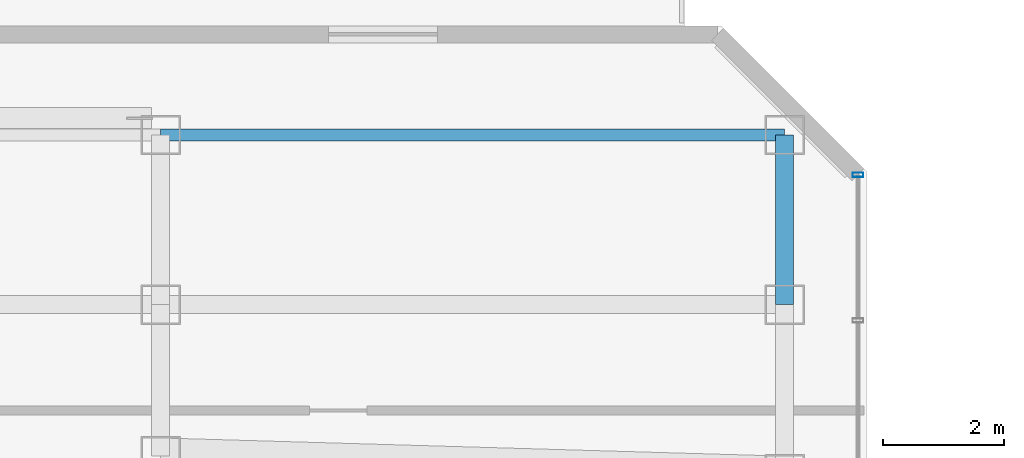
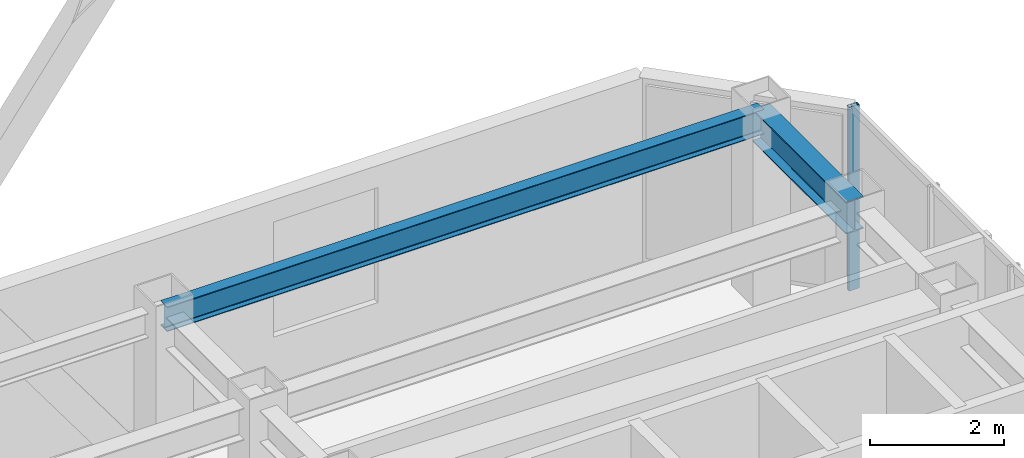
# One storey, part 15 of 22: 2 beams, 1 member, 1 element without a shape of its own.
"""IFC4 building model written with IfcOpenShell, lengths in metres."""

from ifc_helpers import new_model, si_unit, direction, frame, origin, origin_2d, place, context, subcontext, project, spatial, hollow_rectangle, i_section, extrude, material, layer, layer_set, material_profile, profile_set, type_object, element, aggregate, save


model = new_model("IFC4")

# Units and contexts
model_context = context("Model", 3, precision=1e-05, world=origin(), true_north=direction((0.0, 1.0)))
body_context = subcontext(model_context, "Body", "Model", "MODEL_VIEW")
ifc_project = project(units=[si_unit("LENGTHUNIT", "METRE"), si_unit("AREAUNIT", "SQUARE_METRE"), si_unit("VOLUMEUNIT", "CUBIC_METRE"), si_unit("PLANEANGLEUNIT", "RADIAN"), si_unit("MASSUNIT", "GRAM", prefix="KILO")], contexts=[model_context])

# Site, building, storey
site_placement = place(None, origin())
site = spatial("IfcSite", under=ifc_project, at=site_placement, CompositionType="ELEMENT")
building_placement = place(site_placement, origin())
building = spatial("IfcBuilding", under=site, at=building_placement, Name="Hatsunagi Terrace Concourse", CompositionType="ELEMENT")
storey_placement = place(building_placement, frame((0.0, 0.0, 239.550048828125)))
storey = spatial("IfcBuildingStorey", under=building, at=storey_placement, Name="L63", CompositionType="ELEMENT", Elevation=239.550048828125)

# Curtain wall, member
ifc_material_1 = material(Name="Anodised Aluminium Alloy 6063-T5", Category="aluminium")
ifc_layer = layer(ifc_material_1, 0.199951171875)
ifc_layer_set = layer_set([ifc_layer], Name="OfficeZone2_CW04")
curtain_wall_type = type_object("IfcCurtainWallType", Name="OfficeZone2_CW04", PredefinedType="NOTDEFINED", material=ifc_layer_set)
curtain_wall_placement = place(storey_placement, origin())
curtain_wall = element("IfcCurtainWall", 1, at=curtain_wall_placement, inside=storey, type_object=curtain_wall_type, Name="Unitised Curtain Wall CW-04 CW-L63-12", PredefinedType="NOTDEFINED")
ifc_material_2 = material(Name="Anodised Aluminium Alloy 6063-T5", Category="aluminium")
ifc_material_profile_1 = material_profile(ifc_material_2, hollow_rectangle(XDim=0.070068359375, YDim=0.179931640625, WallThickness=0.00390625, at=origin_2d()), Name="ALU-MUL-180x70x4")
ifc_profile_set_1 = profile_set([ifc_material_profile_1], Name="Anodised Aluminium Alloy 6063-T5")
member_type = type_object("IfcMemberType", Name="CurtainWallMullion_180x70", PredefinedType="MULLION", material=ifc_profile_set_1)
member_placement = place(storey_placement, frame((44.860107421875, 47.94189453125, 0.0), z_axis=(0.0, 0.0, 1.0), x_axis=(0.0, -1.0, 0.0)))
member = element("IfcMember", 2, at=member_placement, type_object=member_type, Name="Curtain Wall Mullion MUL-02", PredefinedType="MULLION", context=body_context, shape_type="SweptSolid", body=[
    extrude(hollow_rectangle(XDim=0.070068359375, YDim=0.179931640625, WallThickness=0.00390625, at=origin_2d()), origin(), (0.0, 0.0, 1.0), 3.349853515625),
])
aggregate(curtain_wall, [member])

# Beams
ifc_material_3 = material(Name="Steel SN490B", Category="steel")
ifc_material_profile_2 = material_profile(ifc_material_3, i_section(OverallWidth=0.300048828125, OverallDepth=0.587890625, WebThickness=0.011962890625, FlangeThickness=0.02001953125, FilletRadius=0.01806640625, at=origin_2d()), Name="H-588x300x12x20")
ifc_profile_set_2 = profile_set([ifc_material_profile_2], Name="Steel SN490B")
beam_type_1 = type_object("IfcBeamType", Name="OfficeHighGirder_H_588x300", PredefinedType="BEAM", material=ifc_profile_set_2)
beam_1_placement = place(storey_placement, frame((43.64990234375, 45.800048828125, 3.055908203125), z_axis=(0.0, 1.0, 0.0), x_axis=(-1.0, 0.0, 0.0)))
element("IfcBeam", 3, at=beam_1_placement, inside=storey, type_object=beam_type_1, Name="Beam G-06 BM-L63-KN-WN6", PredefinedType="BEAM", context=body_context, shape_type="SweptSolid", body=[
    extrude(i_section(OverallWidth=0.300048828125, OverallDepth=0.587890625, WebThickness=0.011962890625, FlangeThickness=0.02001953125, FilletRadius=0.01806640625, at=origin_2d()), origin(), (0.0, 0.0, 1.0), 2.800048828125),
])
ifc_material_4 = material(Name="Steel SN490B", Category="steel")
ifc_material_profile_3 = material_profile(ifc_material_4, i_section(OverallWidth=0.199951171875, OverallDepth=0.449951171875, WebThickness=0.009033203125, FlangeThickness=0.013916015625, FilletRadius=0.01611328125, at=origin_2d()), Name="H-450x200x9x14")
ifc_profile_set_3 = profile_set([ifc_material_profile_3], Name="Steel SN490B")
beam_type_2 = type_object("IfcBeamType", Name="PerimeterSpandrel_H_450x200", PredefinedType="SPANDREL", material=ifc_profile_set_3)
beam_2_placement = place(storey_placement, frame((33.35009765625, 48.60009765625, 3.125), z_axis=(1.0, 0.0, 0.0), x_axis=(0.0, 1.0, 0.0)))
element("IfcBeam", 4, at=beam_2_placement, inside=storey, type_object=beam_type_2, Name="Beam SP-02 BM-L63-WN-33", PredefinedType="SPANDREL", context=body_context, shape_type="SweptSolid", body=[
    extrude(i_section(OverallWidth=0.199951171875, OverallDepth=0.449951171875, WebThickness=0.009033203125, FlangeThickness=0.013916015625, FilletRadius=0.01611328125, at=origin_2d()), origin(), (0.0, 0.0, 1.0), 10.2998046875),
])

save(model, "model.ifc")
